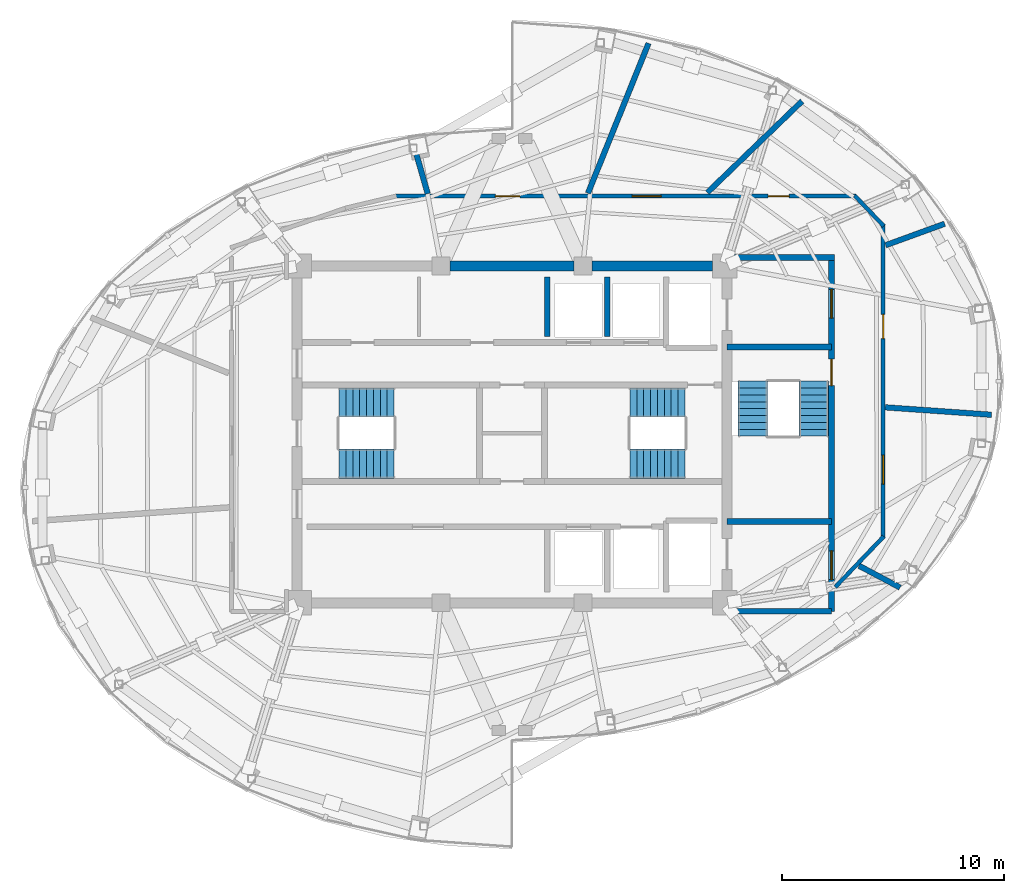
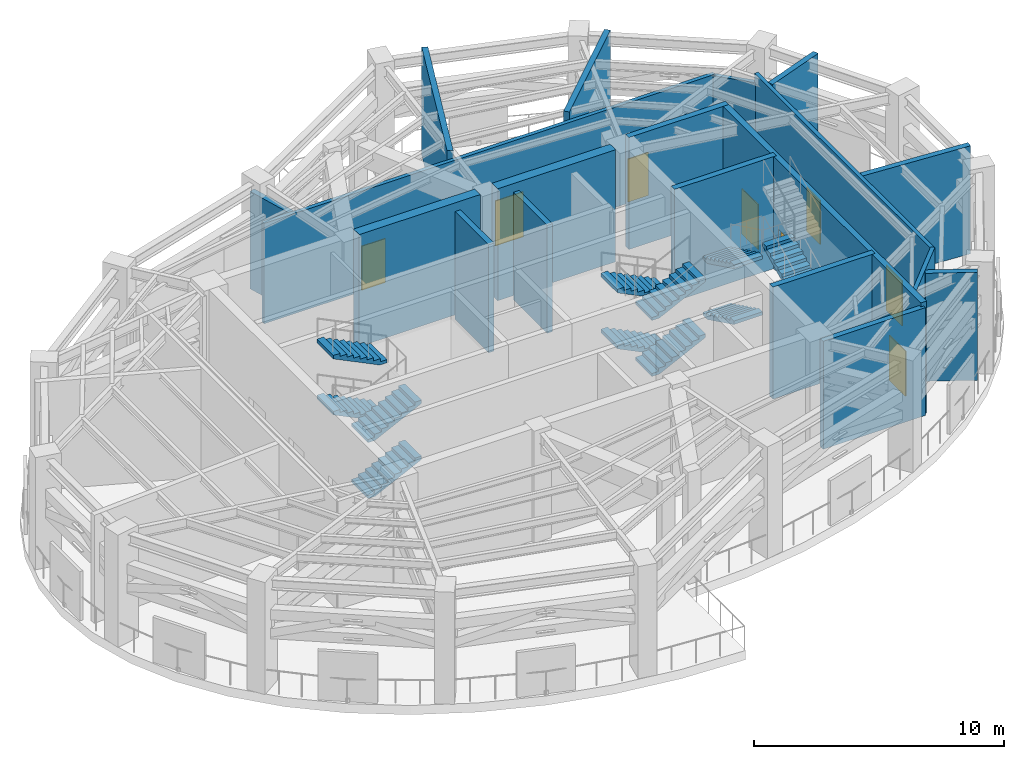
# One storey, part 8 of 12: 19 walls, 11 stair flights, 8 doors, 8 openings, 3 elements without a shape of their own.
"""IFC4 building model written with IfcOpenShell, lengths in metres."""

from ifc_helpers import new_model, si_unit, direction, frame, frame_2d, origin, place, context, subcontext, project, spatial, polyline, rectangle, outline, extrude, material, layer, layer_set, type_object, element, fill, aggregate, save


model = new_model("IFC4")

# Units and contexts
model_context = context("Model", 3, precision=1e-05, world=origin(), true_north=direction((0.0, 1.0)))
body_context = subcontext(model_context, "Body", "Model", "MODEL_VIEW")
ifc_project = project(units=[si_unit("LENGTHUNIT", "METRE"), si_unit("AREAUNIT", "SQUARE_METRE"), si_unit("VOLUMEUNIT", "CUBIC_METRE"), si_unit("PLANEANGLEUNIT", "RADIAN"), si_unit("MASSUNIT", "GRAM", prefix="KILO")], contexts=[model_context])

# Site, building, storey
site_placement = place(None, origin())
site = spatial("IfcSite", under=ifc_project, at=site_placement, CompositionType="ELEMENT")
building_placement = place(site_placement, origin())
building = spatial("IfcBuilding", under=site, at=building_placement, Name="Lazwardi Medical Tower", CompositionType="ELEMENT")
storey_placement = place(building_placement, frame((0.0, 0.0, 245.904052734375)))
storey = spatial("IfcBuildingStorey", under=building, at=storey_placement, Name="L64", CompositionType="ELEMENT", Elevation=245.904052734375)

# Wall, openings, doors
ifc_material_1 = material(Name="Fire-rated gypsum board on steel stud", Category="steel")
ifc_layer_1 = layer(ifc_material_1, 0.179931640625)
ifc_layer_set_1 = layer_set([ifc_layer_1], Name="Fire-rated gypsum board on steel stud")
wall_type_1 = type_object("IfcWallType", Name="WL-COR-180", PredefinedType="PARTITIONING", material=ifc_layer_set_1)
wall_1_placement = place(storey_placement, frame((30.709716796875, 38.75, 0.0), z_axis=(0.0, 0.0, 1.0), x_axis=(1.0, 0.0, 0.0)))
wall_1 = element("IfcWall", 1, at=wall_1_placement, inside=storey, type_object=wall_type_1, Name="L64 Corridor partition 3", PredefinedType="PARTITIONING", context=body_context, shape_type="SweptSolid", body=[
    extrude(rectangle(XDim=20.8154296875, YDim=0.179931640625, at=frame_2d((10.40771484375, 0.0))), origin(), (0.0, 0.0, 1.0), 4.89697265625),
])
opening_1_placement = place(wall_1_placement, frame((16.845947265625, 0.0, 0.0)))
opening_1 = element("IfcOpeningElement", 2, at=opening_1_placement, cuts=wall_1, Name="Opening D-L64-013", PredefinedType="OPENING", context=body_context, shape_type="SweptSolid", body=[
    extrude(rectangle(XDim=0.949951171875, YDim=2.10009765625, at=frame_2d((0.47509765625, 1.050048828125))), frame((0.0, 0.099853515625, 0.0), z_axis=(0.0, -1.0, 0.0), x_axis=(1.0, 0.0, 0.0)), (0.0, 0.0, 1.0), 0.199951171875),
])
opening_2_placement = place(wall_1_placement, frame((10.715087890625, 0.0, 0.0)))
opening_2 = element("IfcOpeningElement", 3, at=opening_2_placement, cuts=wall_1, Name="Opening D-L64-014", PredefinedType="OPENING", context=body_context, shape_type="SweptSolid", body=[
    extrude(rectangle(XDim=1.300048828125, YDim=2.199951171875, at=frame_2d((0.64990234375, 1.10009765625))), frame((0.0, 0.099853515625, 0.0), z_axis=(0.0, -1.0, 0.0), x_axis=(1.0, 0.0, 0.0)), (0.0, 0.0, 1.0), 0.199951171875),
])
opening_3_placement = place(wall_1_placement, frame((4.544921875, 0.0, 0.0)))
opening_3 = element("IfcOpeningElement", 4, at=opening_3_placement, cuts=wall_1, Name="Opening D-L64-015", PredefinedType="OPENING", context=body_context, shape_type="SweptSolid", body=[
    extrude(rectangle(XDim=1.10009765625, YDim=2.14990234375, at=frame_2d((0.550048828125, 1.074951171875))), frame((0.0, 0.099853515625, 0.0), z_axis=(0.0, -1.0, 0.0), x_axis=(1.0, 0.0, 0.0)), (0.0, 0.0, 1.0), 0.199951171875),
])
ifc_material_2 = material(Name="Moisture-resistant laminate door leaf")
door_type_1 = type_object("IfcDoorType", Name="DR-ENS-950", OperationType="NOTDEFINED", PredefinedType="DOOR", material=ifc_material_2)
door_1_placement = place(opening_1_placement, origin())
door_1 = element("IfcDoor", 5, at=door_1_placement, inside=storey, type_object=door_type_1, Name="L64 AHU Plant Room Door 04", OperationType="SINGLE_SWING_LEFT", OverallHeight=2.10009765625, OverallWidth=0.949951171875, PredefinedType="DOOR", context=body_context, shape_type="SweptSolid", body=[
    extrude(rectangle(XDim=0.949951171875, YDim=2.10009765625, at=frame_2d((0.47509765625, 1.050048828125))), frame((0.0, 0.02490234375, 0.0), z_axis=(0.0, -1.0, 0.0), x_axis=(1.0, 0.0, 0.0)), (0.0, 0.0, 1.0), 0.050048828125),
])
fill(opening_1, door_1)
ifc_material_3 = material(Name="Fire-rated steel leaf and frame", Category="steel")
door_type_2 = type_object("IfcDoorType", Name="DR-FFL-1300", OperationType="NOTDEFINED", PredefinedType="DOOR", material=ifc_material_3)
door_2_placement = place(opening_2_placement, origin())
door_2 = element("IfcDoor", 6, at=door_2_placement, inside=storey, type_object=door_type_2, Name="L64 Area of Refuge Door 05", OperationType="SINGLE_SWING_RIGHT", OverallHeight=2.199951171875, OverallWidth=1.300048828125, PredefinedType="DOOR", context=body_context, shape_type="SweptSolid", body=[
    extrude(rectangle(XDim=1.300048828125, YDim=2.199951171875, at=frame_2d((0.64990234375, 1.10009765625))), frame((0.0, 0.02490234375, 0.0), z_axis=(0.0, -1.0, 0.0), x_axis=(1.0, 0.0, 0.0)), (0.0, 0.0, 1.0), 0.050048828125),
])
fill(opening_2, door_2)
door_type_3 = type_object("IfcDoorType", Name="DR-PLT-1100", OperationType="NOTDEFINED", PredefinedType="DOOR", material=ifc_material_3)
door_3_placement = place(opening_3_placement, origin())
door_3 = element("IfcDoor", 7, at=door_3_placement, inside=storey, type_object=door_type_3, Name="L64 Pump Room Door 06", OperationType="SINGLE_SWING_LEFT", OverallHeight=2.14990234375, OverallWidth=1.10009765625, PredefinedType="DOOR", context=body_context, shape_type="SweptSolid", body=[
    extrude(rectangle(XDim=1.10009765625, YDim=2.14990234375, at=frame_2d((0.550048828125, 1.074951171875))), frame((0.0, 0.02490234375, 0.0), z_axis=(0.0, -1.0, 0.0), x_axis=(1.0, 0.0, 0.0)), (0.0, 0.0, 1.0), 0.050048828125),
])
fill(opening_3, door_3)

# Wall
wall_2_placement = place(storey_placement, frame((51.45751953125, 38.77880859375, 0.0), z_axis=(0.0, 0.0, 1.0), x_axis=(0.691335855544, -0.722533552743, 0.0)))
element("IfcWall", 8, at=wall_2_placement, inside=storey, type_object=wall_type_1, Name="L64 Corridor partition 4", PredefinedType="PARTITIONING", context=body_context, shape_type="SweptSolid", body=[
    extrude(rectangle(XDim=1.909423828125, YDim=0.179931640625, at=frame_2d((0.95458984375, 0.0))), origin(), (0.0, 0.0, 1.0), 4.85693359375),
])

# Wall, openings, doors
wall_3_placement = place(storey_placement, frame((52.75, 37.468017578125, 0.0), z_axis=(0.0, 0.0, 1.0), x_axis=(0.0, -1.0, 0.0)))
wall_3 = element("IfcWall", 9, at=wall_3_placement, inside=storey, type_object=wall_type_1, Name="L64 Corridor partition 5", PredefinedType="PARTITIONING", context=body_context, shape_type="SweptSolid", body=[
    extrude(rectangle(XDim=14.13623046875, YDim=0.179931640625, at=frame_2d((7.068115234375, 0.0))), origin(), (0.0, 0.0, 1.0), 5.27197265625),
])
opening_4_placement = place(wall_3_placement, frame((10.4072265625, 0.0, 0.0)))
opening_4 = element("IfcOpeningElement", 10, at=opening_4_placement, cuts=wall_3, Name="Opening D-L64-011", PredefinedType="OPENING", context=body_context, shape_type="SweptSolid", body=[
    extrude(rectangle(XDim=1.300048828125, YDim=2.199951171875, at=frame_2d((0.64990234375, 1.10009765625))), frame((0.0, 0.099853515625, 0.0), z_axis=(0.0, -1.0, 0.0), x_axis=(1.0, 0.0, 0.0)), (0.0, 0.0, 1.0), 0.199951171875),
])
opening_5_placement = place(wall_3_placement, frame((4.045654296875, 0.0, 0.0)))
opening_5 = element("IfcOpeningElement", 11, at=opening_5_placement, cuts=wall_3, Name="Opening D-L64-012", PredefinedType="OPENING", context=body_context, shape_type="SweptSolid", body=[
    extrude(rectangle(XDim=1.10009765625, YDim=2.14990234375, at=frame_2d((0.550048828125, 1.074951171875))), frame((0.0, 0.099853515625, 0.0), z_axis=(0.0, -1.0, 0.0), x_axis=(1.0, 0.0, 0.0)), (0.0, 0.0, 1.0), 0.199951171875),
])
door_4_placement = place(opening_4_placement, origin())
door_4 = element("IfcDoor", 12, at=door_4_placement, inside=storey, type_object=door_type_2, Name="L64 Area of Refuge Door 02", OperationType="SINGLE_SWING_LEFT", OverallHeight=2.199951171875, OverallWidth=1.300048828125, PredefinedType="DOOR", context=body_context, shape_type="SweptSolid", body=[
    extrude(rectangle(XDim=1.300048828125, YDim=2.199951171875, at=frame_2d((0.64990234375, 1.10009765625))), frame((0.0, 0.02490234375, 0.0), z_axis=(0.0, -1.0, 0.0), x_axis=(1.0, 0.0, 0.0)), (0.0, 0.0, 1.0), 0.050048828125),
])
fill(opening_4, door_4)
door_5_placement = place(opening_5_placement, origin())
door_5 = element("IfcDoor", 13, at=door_5_placement, inside=storey, type_object=door_type_3, Name="L64 Chiller Plant Room Door 03", OperationType="SINGLE_SWING_RIGHT", OverallHeight=2.14990234375, OverallWidth=1.10009765625, PredefinedType="DOOR", context=body_context, shape_type="SweptSolid", body=[
    extrude(rectangle(XDim=1.10009765625, YDim=2.14990234375, at=frame_2d((0.550048828125, 1.074951171875))), frame((0.0, 0.02490234375, 0.0), z_axis=(0.0, -1.0, 0.0), x_axis=(1.0, 0.0, 0.0)), (0.0, 0.0, 1.0), 0.050048828125),
])
fill(opening_5, door_5)

# Walls
wall_4_placement = place(storey_placement, frame((52.777587890625, 23.40087890625, 0.0), z_axis=(0.0, 0.0, 1.0), x_axis=(-0.691338054195, -0.72253144902, 0.0)))
element("IfcWall", 14, at=wall_4_placement, inside=storey, type_object=wall_type_1, Name="L64 Corridor partition 6", PredefinedType="PARTITIONING", context=body_context, shape_type="SweptSolid", body=[
    extrude(rectangle(XDim=3.169921875, YDim=0.179931640625, at=frame_2d((1.5849609375, 0.0))), origin(), (0.0, 0.0, 1.0), 5.27197265625),
])
ifc_material_4 = material(Name="Concrete C60/75", Category="concrete")
ifc_layer_2 = layer(ifc_material_4, 0.449951171875)
ifc_layer_set_2 = layer_set([ifc_layer_2], Name="Concrete C60/75")
wall_type_2 = type_object("IfcWallType", Name="WL-CORE-450", PredefinedType="SHEAR", material=ifc_layer_set_2)
wall_5_placement = place(storey_placement, frame((33.199951171875, 35.60009765625, 0.0), z_axis=(0.0, 0.0, 1.0), x_axis=(1.0, 0.0, 0.0)))
element("IfcWall", 15, at=wall_5_placement, inside=storey, type_object=wall_type_2, Name="Core wall CW-S4 N2 L64", PredefinedType="SHEAR", context=body_context, shape_type="SweptSolid", body=[
    extrude(rectangle(XDim=5.60009765625, YDim=0.449951171875, at=frame_2d((2.800048828125, 0.0))), origin(), (0.0, 0.0, 1.0), 5.471923828125),
])
wall_6_placement = place(storey_placement, frame((39.60009765625, 35.60009765625, 0.0), z_axis=(0.0, 0.0, 1.0), x_axis=(1.0, 0.0, 0.0)))
element("IfcWall", 16, at=wall_6_placement, inside=storey, type_object=wall_type_2, Name="Core wall CW-S4 N3 L64", PredefinedType="SHEAR", context=body_context, shape_type="SweptSolid", body=[
    extrude(rectangle(XDim=5.449951171875, YDim=0.449951171875, at=frame_2d((2.72509765625, 0.0))), origin(), (0.0, 0.0, 1.0), 5.471923828125),
])
ifc_material_5 = material(Name="Autoclaved aerated concrete blockwork", Category="masonry")
ifc_layer_3 = layer(ifc_material_5, 0.25)
ifc_layer_set_3 = layer_set([ifc_layer_3], Name="Autoclaved aerated concrete blockwork")
wall_type_3 = type_object("IfcWallType", Name="WL-SHAFT-250", PredefinedType="SOLIDWALL", material=ifc_layer_set_3)
for number, where, z_axis, x_axis, name in (
    (17, (37.60009765625, 32.419921875, 0.0), (0.0, 0.0, 1.0), (0.0, 1.0, 0.0), "L64 North hoistway divider"),
    (18, (40.300048828125, 32.419921875, 0.0), (0.0, 0.0, 1.0), (0.0, 1.0, 0.0), "L64 North hoistway divider"),
):
    element("IfcWall", number, at=place(storey_placement, frame(where, z_axis=z_axis, x_axis=x_axis)), inside=storey, type_object=wall_type_3, Name=name, PredefinedType="SOLIDWALL", context=body_context, shape_type="SweptSolid", body=[
        extrude(rectangle(XDim=2.68017578125, YDim=0.25, at=frame_2d((1.340087890625, 0.0))), origin(), (0.0, 0.0, 1.0), 5.27197265625),
    ])
wall_7_placement = place(storey_placement, frame((45.699951171875, 20.02001953125, 0.0), z_axis=(0.0, 0.0, 1.0), x_axis=(1.0, 0.0, 0.0)))
element("IfcWall", 19, at=wall_7_placement, inside=storey, type_object=wall_type_3, Name="L64 FFL-S South wall", PredefinedType="SOLIDWALL", context=body_context, shape_type="SweptSolid", body=[
    extrude(rectangle(XDim=4.715087890625, YDim=0.25, at=frame_2d((2.357421875, 0.0))), origin(), (0.0, 0.0, 1.0), 5.27197265625),
])
wall_8_placement = place(storey_placement, frame((51.662353515625, 22.072021484375, 0.0), z_axis=(0.0, 0.0, 1.0), x_axis=(0.882994838887, -0.469382695143, 0.0)))
element("IfcWall", 20, at=wall_8_placement, inside=storey, type_object=wall_type_3, Name="L64 Room partition 1", PredefinedType="SOLIDWALL", context=body_context, shape_type="SweptSolid", body=[
    extrude(rectangle(XDim=2.092529296875, YDim=0.25, at=frame_2d((1.04638671875, 0.0))), origin(), (0.0, 0.0, 1.0), 5.27197265625),
])
wall_9_placement = place(storey_placement, frame((52.83984375, 29.222412109375, 0.0), z_axis=(0.0, 0.0, 1.0), x_axis=(0.997564343245, -0.069752283728, 0.0)))
element("IfcWall", 21, at=wall_9_placement, inside=storey, type_object=wall_type_3, Name="L64 Room partition 2", PredefinedType="SOLIDWALL", context=body_context, shape_type="SweptSolid", body=[
    extrude(rectangle(XDim=4.8056640625, YDim=0.25, at=frame_2d((2.40283203125, 0.0))), origin(), (0.0, 0.0, 1.0), 5.27197265625),
])
wall_10_placement = place(storey_placement, frame((52.861328125, 36.537109375, 0.0), z_axis=(0.0, 0.0, 1.0), x_axis=(0.93969017074, 0.342026874697, 0.0)))
element("IfcWall", 22, at=wall_10_placement, inside=storey, type_object=wall_type_3, Name="L64 Room partition 3", PredefinedType="SOLIDWALL", context=body_context, shape_type="SweptSolid", body=[
    extrude(rectangle(XDim=2.831787109375, YDim=0.25, at=frame_2d((1.416015625, 0.0))), origin(), (0.0, 0.0, 1.0), 5.27197265625),
])
wall_11_placement = place(storey_placement, frame((44.818603515625, 38.916015625, 0.0), z_axis=(0.0, 0.0, 1.0), x_axis=(0.719336266848, 0.694662029477, 0.0)))
element("IfcWall", 23, at=wall_11_placement, inside=storey, type_object=wall_type_3, Name="L64 Room partition 4", PredefinedType="SOLIDWALL", context=body_context, shape_type="SweptSolid", body=[
    extrude(rectangle(XDim=5.936767578125, YDim=0.25, at=frame_2d((2.96826171875, 0.0))), origin(), (0.0, 0.0, 1.0), 5.27197265625),
])
wall_12_placement = place(storey_placement, frame((39.427734375, 38.8837890625, 0.0), z_axis=(0.0, 0.0, 1.0), x_axis=(0.374590867969, 0.927190207905, 0.0)))
element("IfcWall", 24, at=wall_12_placement, inside=storey, type_object=wall_type_3, Name="L64 Room partition 5", PredefinedType="SOLIDWALL", context=body_context, shape_type="SweptSolid", body=[
    extrude(rectangle(XDim=7.295166015625, YDim=0.25, at=frame_2d((3.6474609375, 0.0))), origin(), (0.0, 0.0, 1.0), 5.27197265625),
])
wall_13_placement = place(storey_placement, frame((32.197021484375, 38.86279296875, 0.0), z_axis=(0.0, 0.0, 1.0), x_axis=(-0.2757058954, 0.961242039885, 0.0)))
element("IfcWall", 25, at=wall_13_placement, inside=storey, type_object=wall_type_3, Name="L64 Room partition 6", PredefinedType="SOLIDWALL", context=body_context, shape_type="SweptSolid", body=[
    extrude(rectangle(XDim=2.324462890625, YDim=0.25, at=frame_2d((1.162109375, 0.0))), origin(), (0.0, 0.0, 1.0), 4.7568359375),
])

# Wall, openings, doors
ifc_material_6 = material(Name="Concrete C50/60", Category="concrete")
ifc_layer_4 = layer(ifc_material_6, 0.27001953125)
ifc_layer_set_4 = layer_set([ifc_layer_4], Name="Concrete C50/60")
wall_type_4 = type_object("IfcWallType", Name="WL-STR-250", PredefinedType="SHEAR", material=ifc_layer_set_4)
wall_14_placement = place(storey_placement, frame((50.4150390625, 35.844970703125, 0.0), z_axis=(0.0, 0.0, 1.0), x_axis=(0.0, -1.0, 0.0)))
wall_14 = element("IfcWall", 26, at=wall_14_placement, inside=storey, type_object=wall_type_4, Name="L64 East ST3 & FFL shear wall SW-S1", PredefinedType="SHEAR", context=body_context, shape_type="SweptSolid", body=[
    extrude(rectangle(XDim=15.824951171875, YDim=0.27001953125, at=frame_2d((7.91259765625, 0.0))), origin(), (0.0, 0.0, 1.0), 5.471923828125),
])
opening_6_placement = place(wall_14_placement, frame((4.445068359375, 0.0, 0.0)))
opening_6 = element("IfcOpeningElement", 27, at=opening_6_placement, cuts=wall_14, Name="Opening D-L64-020", PredefinedType="OPENING", context=body_context, shape_type="SweptSolid", body=[
    extrude(rectangle(XDim=1.199951171875, YDim=2.14990234375, at=frame_2d((0.60009765625, 1.074951171875))), frame((0.0, 0.14501953125, 0.0), z_axis=(0.0, -1.0, 0.0), x_axis=(1.0, 0.0, 0.0)), (0.0, 0.0, 1.0), 0.2900390625),
])
opening_7_placement = place(wall_14_placement, frame((1.294921875, 0.0, 0.0)))
opening_7 = element("IfcOpeningElement", 28, at=opening_7_placement, cuts=wall_14, Name="Opening D-L64-006", PredefinedType="OPENING", context=body_context, shape_type="SweptSolid", body=[
    extrude(rectangle(XDim=1.300048828125, YDim=2.199951171875, at=frame_2d((0.64990234375, 1.10009765625))), frame((0.0, 0.14501953125, 0.0), z_axis=(0.0, -1.0, 0.0), x_axis=(1.0, 0.0, 0.0)), (0.0, 0.0, 1.0), 0.2900390625),
])
opening_8_placement = place(wall_14_placement, frame((13.094970703125, 0.0, 0.0)))
opening_8 = element("IfcOpeningElement", 29, at=opening_8_placement, cuts=wall_14, Name="Opening D-L64-007", PredefinedType="OPENING", context=body_context, shape_type="SweptSolid", body=[
    extrude(rectangle(XDim=1.300048828125, YDim=2.199951171875, at=frame_2d((0.64990234375, 1.10009765625))), frame((0.0, 0.14501953125, 0.0), z_axis=(0.0, -1.0, 0.0), x_axis=(1.0, 0.0, 0.0)), (0.0, 0.0, 1.0), 0.2900390625),
])
door_6_placement = place(opening_7_placement, origin())
door_6 = element("IfcDoor", 30, at=door_6_placement, inside=storey, type_object=door_type_2, Name="L64 Fire-Fighting Lobby North Door", OperationType="SINGLE_SWING_RIGHT", OverallHeight=2.199951171875, OverallWidth=1.300048828125, PredefinedType="DOOR", context=body_context, shape_type="SweptSolid", body=[
    extrude(rectangle(XDim=1.300048828125, YDim=2.199951171875, at=frame_2d((0.64990234375, 1.10009765625))), frame((0.0, 0.02490234375, 0.0), z_axis=(0.0, -1.0, 0.0), x_axis=(1.0, 0.0, 0.0)), (0.0, 0.0, 1.0), 0.050048828125),
])
fill(opening_7, door_6)
door_7_placement = place(opening_8_placement, origin())
door_7 = element("IfcDoor", 31, at=door_7_placement, inside=storey, type_object=door_type_2, Name="L64 Fire-Fighting Lobby South Door", OperationType="SLIDING_TO_LEFT", OverallHeight=2.199951171875, OverallWidth=1.300048828125, PredefinedType="DOOR", context=body_context, shape_type="SweptSolid", body=[
    extrude(rectangle(XDim=1.300048828125, YDim=2.199951171875, at=frame_2d((0.64990234375, 1.10009765625))), frame((0.0, 0.02490234375, 0.0), z_axis=(0.0, -1.0, 0.0), x_axis=(1.0, 0.0, 0.0)), (0.0, 0.0, 1.0), 0.050048828125),
])
fill(opening_8, door_7)
door_type_4 = type_object("IfcDoorType", Name="DR-STR-1200", OperationType="NOTDEFINED", PredefinedType="DOOR", material=ifc_material_3)
door_8_placement = place(opening_6_placement, origin())
door_8 = element("IfcDoor", 32, at=door_8_placement, inside=storey, type_object=door_type_4, Name="L64 Exit Stair ST3 Door", OperationType="SINGLE_SWING_LEFT", OverallHeight=2.14990234375, OverallWidth=1.199951171875, PredefinedType="DOOR", context=body_context, shape_type="SweptSolid", body=[
    extrude(rectangle(XDim=1.199951171875, YDim=2.14990234375, at=frame_2d((0.60009765625, 1.074951171875))), frame((0.0, 0.02490234375, 0.0), z_axis=(0.0, -1.0, 0.0), x_axis=(1.0, 0.0, 0.0)), (0.0, 0.0, 1.0), 0.050048828125),
])
fill(opening_6, door_8)

# Walls
wall_15_placement = place(storey_placement, frame((45.925048828125, 35.97998046875, 0.0), z_axis=(0.0, 0.0, 1.0), x_axis=(1.0, 0.0, 0.0)))
element("IfcWall", 33, at=wall_15_placement, inside=storey, type_object=wall_type_4, Name="L64 FFL-N North shear wall SW-S1", PredefinedType="SHEAR", context=body_context, shape_type="SweptSolid", body=[
    extrude(rectangle(XDim=4.625, YDim=0.27001953125, at=frame_2d((2.3125, 0.0))), origin(), (0.0, 0.0, 1.0), 5.471923828125),
])
for number, where, z_axis, x_axis, name in (
    (34, (45.699951171875, 31.93505859375, 0.0), (0.0, 0.0, 1.0), (1.0, 0.0, 0.0), "L64 ST3 North shear shaft wall SW-S1"),
    (35, (45.699951171875, 24.06494140625, 0.0), (0.0, 0.0, 1.0), (1.0, 0.0, 0.0), "L64 ST3 South shear shaft wall SW-S1"),
):
    element("IfcWall", number, at=place(storey_placement, frame(where, z_axis=z_axis, x_axis=x_axis)), inside=storey, type_object=wall_type_4, Name=name, PredefinedType="SHEAR", context=body_context, shape_type="SweptSolid", body=[
        extrude(rectangle(XDim=4.715087890625, YDim=0.27001953125, at=frame_2d((2.357421875, 0.0))), origin(), (0.0, 0.0, 1.0), 5.471923828125),
    ])

# Stair, stair flights
ifc_material_7 = material(Name="Concrete C45/55", Category="concrete")
stair_type = type_object("IfcStairType", Name="STR-REF", PredefinedType="HALF_TURN_STAIR", material=ifc_material_7)
stair_1_placement = place(storey_placement, origin())
stair_1 = element("IfcStair", 36, at=stair_1_placement, inside=storey, type_object=stair_type, Name="L64 Protected Exit Stair ST1", PredefinedType="HALF_TURN_STAIR")
stair_flight_type = type_object("IfcStairFlightType", Name="FLT-REF", PredefinedType="STRAIGHT", material=ifc_material_7)
stair_flight_1_placement = place(storey_placement, frame((28.199951171875, 26.679931640625, 0.0), z_axis=(0.0, 0.0, 1.0), x_axis=(1.0, 0.0, 0.0)))
stair_flight_1 = element("IfcStairFlight", 37, at=stair_flight_1_placement, type_object=stair_flight_type, Name="ST1 flight 1", NumberOfRisers=9, NumberOfTreads=8, PredefinedType="STRAIGHT", RiserHeight=0.152, TreadLength=0.31, context=body_context, shape_type="SweptSolid", body=[
    extrude(outline(polyline([(0.0, 0.0), (0.0, 0.152099609375), (0.31005859375, 0.152099609375), (0.31005859375, 0.303955078125), (0.6201171875, 0.303955078125), (0.6201171875, 0.4560546875), (0.929931640625, 0.4560546875), (0.929931640625, 0.60791015625), (1.239990234375, 0.60791015625), (1.239990234375, 0.760009765625), (1.550048828125, 0.760009765625), (1.550048828125, 0.912109375), (1.860107421875, 0.912109375), (1.860107421875, 1.06396484375), (2.169921875, 1.06396484375), (2.169921875, 1.216064453125), (2.47998046875, 1.216064453125), (2.47998046875, 1.367919921875), (2.47998046875, 1.049072265625), (0.340576171875, 0.0), (0.0, 0.0)])), frame((0.0, 0.66015625, 0.0), z_axis=(0.0, -1.0, 0.0), x_axis=(1.0, 0.0, 0.0)), (0.0, 0.0, 1.0), 1.320068359375),
])
stair_flight_2_placement = place(storey_placement, frame((30.679931640625, 29.43994140625, 1.367919921875), z_axis=(0.0, 0.0, 1.0), x_axis=(-1.0, 0.0, 0.0)))
stair_flight_2 = element("IfcStairFlight", 38, at=stair_flight_2_placement, type_object=stair_flight_type, Name="ST1 flight 2", NumberOfRisers=9, NumberOfTreads=8, PredefinedType="STRAIGHT", RiserHeight=0.152, TreadLength=0.31, context=body_context, shape_type="SweptSolid", body=[
    extrude(outline(polyline([(0.0, 0.0), (0.0, 0.152099609375), (0.31005859375, 0.152099609375), (0.31005859375, 0.303955078125), (0.6201171875, 0.303955078125), (0.6201171875, 0.4560546875), (0.929931640625, 0.4560546875), (0.929931640625, 0.60791015625), (1.239990234375, 0.60791015625), (1.239990234375, 0.760009765625), (1.550048828125, 0.760009765625), (1.550048828125, 0.912109375), (1.860107421875, 0.912109375), (1.860107421875, 1.06396484375), (2.169921875, 1.06396484375), (2.169921875, 1.216064453125), (2.47998046875, 1.216064453125), (2.47998046875, 1.367919921875), (2.47998046875, 1.049072265625), (0.340576171875, 0.0), (0.0, 0.0)])), frame((0.0, 0.66015625, 0.0), z_axis=(0.0, -1.0, 0.0), x_axis=(1.0, 0.0, 0.0)), (0.0, 0.0, 1.0), 1.320068359375),
])
stair_flight_3_placement = place(storey_placement, frame((28.199951171875, 26.679931640625, 2.73583984375), z_axis=(0.0, 0.0, 1.0), x_axis=(1.0, 0.0, 0.0)))
stair_flight_3 = element("IfcStairFlight", 39, at=stair_flight_3_placement, type_object=stair_flight_type, Name="ST1 flight 3", NumberOfRisers=9, NumberOfTreads=8, PredefinedType="STRAIGHT", RiserHeight=0.152, TreadLength=0.31, context=body_context, shape_type="SweptSolid", body=[
    extrude(outline(polyline([(0.0, 0.0), (0.0, 0.152099609375), (0.31005859375, 0.152099609375), (0.31005859375, 0.303955078125), (0.6201171875, 0.303955078125), (0.6201171875, 0.4560546875), (0.929931640625, 0.4560546875), (0.929931640625, 0.60791015625), (1.239990234375, 0.60791015625), (1.239990234375, 0.760009765625), (1.550048828125, 0.760009765625), (1.550048828125, 0.912109375), (1.860107421875, 0.912109375), (1.860107421875, 1.06396484375), (2.169921875, 1.06396484375), (2.169921875, 1.216064453125), (2.47998046875, 1.216064453125), (2.47998046875, 1.367919921875), (2.47998046875, 1.049072265625), (0.340576171875, 0.0), (0.0, 0.0)])), frame((0.0, 0.66015625, 0.0), z_axis=(0.0, -1.0, 0.0), x_axis=(1.0, 0.0, 0.0)), (0.0, 0.0, 1.0), 1.320068359375),
])
stair_flight_4_placement = place(storey_placement, frame((30.679931640625, 29.43994140625, 4.10400390625), z_axis=(0.0, 0.0, 1.0), x_axis=(-1.0, 0.0, 0.0)))
stair_flight_4 = element("IfcStairFlight", 40, at=stair_flight_4_placement, type_object=stair_flight_type, Name="ST1 flight 4", NumberOfRisers=9, NumberOfTreads=8, PredefinedType="STRAIGHT", RiserHeight=0.152, TreadLength=0.31, context=body_context, shape_type="SweptSolid", body=[
    extrude(outline(polyline([(0.0, 0.0), (0.0, 0.152099609375), (0.31005859375, 0.152099609375), (0.31005859375, 0.303955078125), (0.6201171875, 0.303955078125), (0.6201171875, 0.4560546875), (0.929931640625, 0.4560546875), (0.929931640625, 0.60791015625), (1.239990234375, 0.60791015625), (1.239990234375, 0.760009765625), (1.550048828125, 0.760009765625), (1.550048828125, 0.912109375), (1.860107421875, 0.912109375), (1.860107421875, 1.06396484375), (2.169921875, 1.06396484375), (2.169921875, 1.216064453125), (2.47998046875, 1.216064453125), (2.47998046875, 1.367919921875), (2.47998046875, 1.049072265625), (0.340576171875, 0.0), (0.0, 0.0)])), frame((0.0, 0.66015625, 0.0), z_axis=(0.0, -1.0, 0.0), x_axis=(1.0, 0.0, 0.0)), (0.0, 0.0, 1.0), 1.320068359375),
])
aggregate(stair_1, [stair_flight_1, stair_flight_2, stair_flight_3, stair_flight_4])

stair_2_placement = place(storey_placement, origin())
stair_2 = element("IfcStair", 41, at=stair_2_placement, inside=storey, type_object=stair_type, Name="L64 Protected Exit Stair ST2", PredefinedType="HALF_TURN_STAIR")
stair_flight_5_placement = place(storey_placement, frame((43.800048828125, 29.43994140625, 0.0), z_axis=(0.0, 0.0, 1.0), x_axis=(-1.0, 0.0, 0.0)))
stair_flight_5 = element("IfcStairFlight", 42, at=stair_flight_5_placement, type_object=stair_flight_type, Name="ST2 flight 1", NumberOfRisers=9, NumberOfTreads=8, PredefinedType="STRAIGHT", RiserHeight=0.152, TreadLength=0.31, context=body_context, shape_type="SweptSolid", body=[
    extrude(outline(polyline([(0.0, 0.0), (0.0, 0.152099609375), (0.31005859375, 0.152099609375), (0.31005859375, 0.303955078125), (0.6201171875, 0.303955078125), (0.6201171875, 0.4560546875), (0.929931640625, 0.4560546875), (0.929931640625, 0.60791015625), (1.239990234375, 0.60791015625), (1.239990234375, 0.760009765625), (1.550048828125, 0.760009765625), (1.550048828125, 0.912109375), (1.860107421875, 0.912109375), (1.860107421875, 1.06396484375), (2.169921875, 1.06396484375), (2.169921875, 1.216064453125), (2.47998046875, 1.216064453125), (2.47998046875, 1.367919921875), (2.47998046875, 1.049072265625), (0.340576171875, 0.0), (0.0, 0.0)])), frame((0.0, 0.66015625, 0.0), z_axis=(0.0, -1.0, 0.0), x_axis=(1.0, 0.0, 0.0)), (0.0, 0.0, 1.0), 1.320068359375),
])
stair_flight_6_placement = place(storey_placement, frame((41.320068359375, 26.679931640625, 1.367919921875), z_axis=(0.0, 0.0, 1.0), x_axis=(1.0, 0.0, 0.0)))
stair_flight_6 = element("IfcStairFlight", 43, at=stair_flight_6_placement, type_object=stair_flight_type, Name="ST2 flight 2", NumberOfRisers=9, NumberOfTreads=8, PredefinedType="STRAIGHT", RiserHeight=0.152, TreadLength=0.31, context=body_context, shape_type="SweptSolid", body=[
    extrude(outline(polyline([(0.0, 0.0), (0.0, 0.152099609375), (0.31005859375, 0.152099609375), (0.31005859375, 0.303955078125), (0.6201171875, 0.303955078125), (0.6201171875, 0.4560546875), (0.929931640625, 0.4560546875), (0.929931640625, 0.60791015625), (1.239990234375, 0.60791015625), (1.239990234375, 0.760009765625), (1.550048828125, 0.760009765625), (1.550048828125, 0.912109375), (1.860107421875, 0.912109375), (1.860107421875, 1.06396484375), (2.169921875, 1.06396484375), (2.169921875, 1.216064453125), (2.47998046875, 1.216064453125), (2.47998046875, 1.367919921875), (2.47998046875, 1.049072265625), (0.340576171875, 0.0), (0.0, 0.0)])), frame((0.0, 0.66015625, 0.0), z_axis=(0.0, -1.0, 0.0), x_axis=(1.0, 0.0, 0.0)), (0.0, 0.0, 1.0), 1.320068359375),
])
stair_flight_7_placement = place(storey_placement, frame((43.800048828125, 29.43994140625, 2.73583984375), z_axis=(0.0, 0.0, 1.0), x_axis=(-1.0, 0.0, 0.0)))
stair_flight_7 = element("IfcStairFlight", 44, at=stair_flight_7_placement, type_object=stair_flight_type, Name="ST2 flight 3", NumberOfRisers=9, NumberOfTreads=8, PredefinedType="STRAIGHT", RiserHeight=0.152, TreadLength=0.31, context=body_context, shape_type="SweptSolid", body=[
    extrude(outline(polyline([(0.0, 0.0), (0.0, 0.152099609375), (0.31005859375, 0.152099609375), (0.31005859375, 0.303955078125), (0.6201171875, 0.303955078125), (0.6201171875, 0.4560546875), (0.929931640625, 0.4560546875), (0.929931640625, 0.60791015625), (1.239990234375, 0.60791015625), (1.239990234375, 0.760009765625), (1.550048828125, 0.760009765625), (1.550048828125, 0.912109375), (1.860107421875, 0.912109375), (1.860107421875, 1.06396484375), (2.169921875, 1.06396484375), (2.169921875, 1.216064453125), (2.47998046875, 1.216064453125), (2.47998046875, 1.367919921875), (2.47998046875, 1.049072265625), (0.340576171875, 0.0), (0.0, 0.0)])), frame((0.0, 0.66015625, 0.0), z_axis=(0.0, -1.0, 0.0), x_axis=(1.0, 0.0, 0.0)), (0.0, 0.0, 1.0), 1.320068359375),
])
stair_flight_8_placement = place(storey_placement, frame((41.320068359375, 26.679931640625, 4.10400390625), z_axis=(0.0, 0.0, 1.0), x_axis=(1.0, 0.0, 0.0)))
stair_flight_8 = element("IfcStairFlight", 45, at=stair_flight_8_placement, type_object=stair_flight_type, Name="ST2 flight 4", NumberOfRisers=9, NumberOfTreads=8, PredefinedType="STRAIGHT", RiserHeight=0.152, TreadLength=0.31, context=body_context, shape_type="SweptSolid", body=[
    extrude(outline(polyline([(0.0, 0.0), (0.0, 0.152099609375), (0.31005859375, 0.152099609375), (0.31005859375, 0.303955078125), (0.6201171875, 0.303955078125), (0.6201171875, 0.4560546875), (0.929931640625, 0.4560546875), (0.929931640625, 0.60791015625), (1.239990234375, 0.60791015625), (1.239990234375, 0.760009765625), (1.550048828125, 0.760009765625), (1.550048828125, 0.912109375), (1.860107421875, 0.912109375), (1.860107421875, 1.06396484375), (2.169921875, 1.06396484375), (2.169921875, 1.216064453125), (2.47998046875, 1.216064453125), (2.47998046875, 1.367919921875), (2.47998046875, 1.049072265625), (0.340576171875, 0.0), (0.0, 0.0)])), frame((0.0, 0.66015625, 0.0), z_axis=(0.0, -1.0, 0.0), x_axis=(1.0, 0.0, 0.0)), (0.0, 0.0, 1.0), 1.320068359375),
])
aggregate(stair_2, [stair_flight_5, stair_flight_6, stair_flight_7, stair_flight_8])

stair_3_placement = place(storey_placement, origin())
stair_3 = element("IfcStair", 46, at=stair_3_placement, inside=storey, type_object=stair_type, Name="L64 Protected Exit Stair ST3", PredefinedType="HALF_TURN_STAIR")
stair_flight_9_placement = place(storey_placement, frame((46.860107421875, 30.39990234375, 0.0), z_axis=(0.0, 0.0, 1.0), x_axis=(0.0, -1.0, 0.0)))
stair_flight_9 = element("IfcStairFlight", 47, at=stair_flight_9_placement, type_object=stair_flight_type, Name="ST3 flight 1", NumberOfRisers=9, NumberOfTreads=8, PredefinedType="STRAIGHT", RiserHeight=0.152, TreadLength=0.31, context=body_context, shape_type="SweptSolid", body=[
    extrude(outline(polyline([(0.0, 0.0), (0.0, 0.152099609375), (0.31005859375, 0.152099609375), (0.31005859375, 0.303955078125), (0.6201171875, 0.303955078125), (0.6201171875, 0.4560546875), (0.929931640625, 0.4560546875), (0.929931640625, 0.60791015625), (1.239990234375, 0.60791015625), (1.239990234375, 0.760009765625), (1.550048828125, 0.760009765625), (1.550048828125, 0.912109375), (1.860107421875, 0.912109375), (1.860107421875, 1.06396484375), (2.169921875, 1.06396484375), (2.169921875, 1.216064453125), (2.47998046875, 1.216064453125), (2.47998046875, 1.367919921875), (2.47998046875, 1.049072265625), (0.340576171875, 0.0), (0.0, 0.0)])), frame((0.0, 0.66015625, 0.0), z_axis=(0.0, -1.0, 0.0), x_axis=(1.0, 0.0, 0.0)), (0.0, 0.0, 1.0), 1.320068359375),
])
stair_flight_10_placement = place(storey_placement, frame((49.6201171875, 27.919921875, 1.367919921875), z_axis=(0.0, 0.0, 1.0), x_axis=(0.0, 1.0, 0.0)))
stair_flight_10 = element("IfcStairFlight", 48, at=stair_flight_10_placement, type_object=stair_flight_type, Name="ST3 flight 2", NumberOfRisers=9, NumberOfTreads=8, PredefinedType="STRAIGHT", RiserHeight=0.152, TreadLength=0.31, context=body_context, shape_type="SweptSolid", body=[
    extrude(outline(polyline([(0.0, 0.0), (0.0, 0.152099609375), (0.31005859375, 0.152099609375), (0.31005859375, 0.303955078125), (0.6201171875, 0.303955078125), (0.6201171875, 0.4560546875), (0.929931640625, 0.4560546875), (0.929931640625, 0.60791015625), (1.239990234375, 0.60791015625), (1.239990234375, 0.760009765625), (1.550048828125, 0.760009765625), (1.550048828125, 0.912109375), (1.860107421875, 0.912109375), (1.860107421875, 1.06396484375), (2.169921875, 1.06396484375), (2.169921875, 1.216064453125), (2.47998046875, 1.216064453125), (2.47998046875, 1.367919921875), (2.47998046875, 1.049072265625), (0.340576171875, 0.0), (0.0, 0.0)])), frame((0.0, 0.66015625, 0.0), z_axis=(0.0, -1.0, 0.0), x_axis=(1.0, 0.0, 0.0)), (0.0, 0.0, 1.0), 1.320068359375),
])
stair_flight_11_placement = place(storey_placement, frame((46.860107421875, 30.39990234375, 2.73583984375), z_axis=(0.0, 0.0, 1.0), x_axis=(0.0, -1.0, 0.0)))
stair_flight_11 = element("IfcStairFlight", 49, at=stair_flight_11_placement, type_object=stair_flight_type, Name="ST3 flight 3", NumberOfRisers=9, NumberOfTreads=8, PredefinedType="STRAIGHT", RiserHeight=0.152, TreadLength=0.31, context=body_context, shape_type="SweptSolid", body=[
    extrude(outline(polyline([(0.0, 0.0), (0.0, 0.152099609375), (0.31005859375, 0.152099609375), (0.31005859375, 0.303955078125), (0.6201171875, 0.303955078125), (0.6201171875, 0.4560546875), (0.929931640625, 0.4560546875), (0.929931640625, 0.60791015625), (1.239990234375, 0.60791015625), (1.239990234375, 0.760009765625), (1.550048828125, 0.760009765625), (1.550048828125, 0.912109375), (1.860107421875, 0.912109375), (1.860107421875, 1.06396484375), (2.169921875, 1.06396484375), (2.169921875, 1.216064453125), (2.47998046875, 1.216064453125), (2.47998046875, 1.367919921875), (2.47998046875, 1.049072265625), (0.340576171875, 0.0), (0.0, 0.0)])), frame((0.0, 0.66015625, 0.0), z_axis=(0.0, -1.0, 0.0), x_axis=(1.0, 0.0, 0.0)), (0.0, 0.0, 1.0), 1.320068359375),
])
aggregate(stair_3, [stair_flight_9, stair_flight_10, stair_flight_11])

save(model, "model.ifc")
